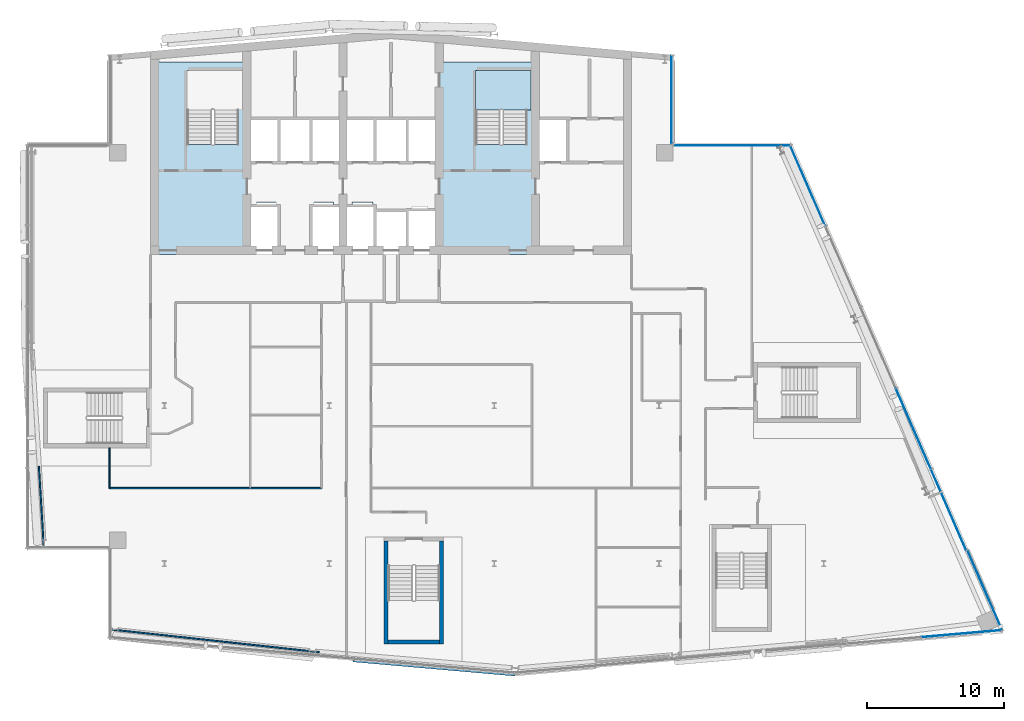
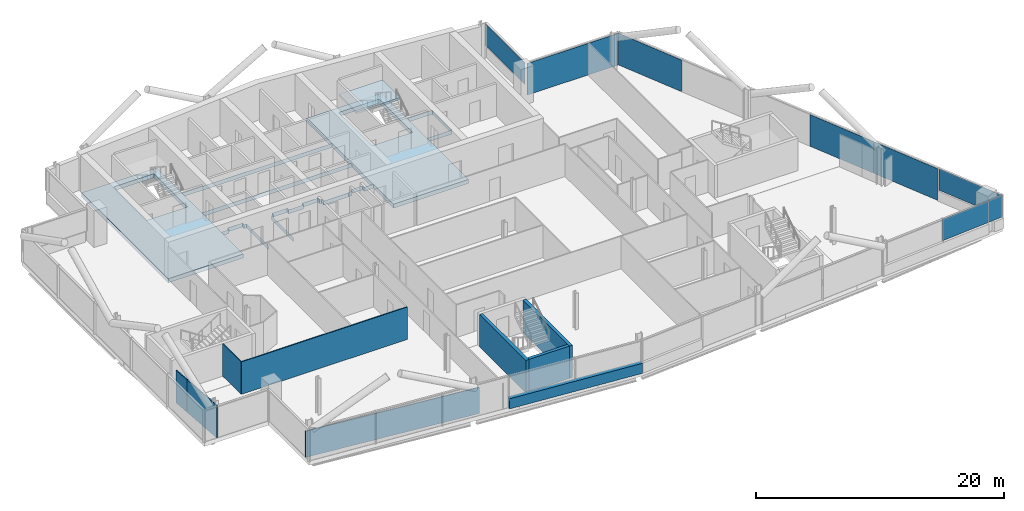
# One storey, part 14 of 25: 9 walls, 7 plates, 2 slabs, 5 elements without a shape of their own.
"""IFC4 building model written with IfcOpenShell, lengths in metres."""

from ifc_helpers import new_model, si_unit, direction, frame, frame_2d, origin, origin_2d, place, context, subcontext, project, spatial, polyline, rectangle, outline, extrude, material, layer, layer_set, type_object, element, aggregate, save


model = new_model("IFC4")

# Units and contexts
model_context = context("Model", 3, precision=1e-05, world=origin(), true_north=direction((0.0, 1.0)))
body_context = subcontext(model_context, "Body", "Model", "MODEL_VIEW")
ifc_project = project(units=[si_unit("LENGTHUNIT", "METRE"), si_unit("AREAUNIT", "SQUARE_METRE"), si_unit("VOLUMEUNIT", "CUBIC_METRE"), si_unit("PLANEANGLEUNIT", "RADIAN"), si_unit("MASSUNIT", "GRAM", prefix="KILO")], contexts=[model_context])

# Site, building, storey
site_placement = place(None, origin())
site = spatial("IfcSite", under=ifc_project, at=site_placement, CompositionType="ELEMENT")
building_placement = place(site_placement, origin())
building = spatial("IfcBuilding", under=site, at=building_placement, Name="Wharfspan Tower", CompositionType="ELEMENT")
storey_placement = place(building_placement, frame((0.0, 0.0, 225.100098)))
storey = spatial("IfcBuildingStorey", under=building, at=storey_placement, Name="L56", CompositionType="ELEMENT", Elevation=225.100098)

# Curtain wall, plate
ifc_material_1 = material(Name="Aluminium 6063-T6", Category="aluminium")
curtain_wall_type_1 = type_object("IfcCurtainWallType", Name="CURTAIN WALL FACETED FRONT", PredefinedType="NOTDEFINED", material=ifc_material_1)
curtain_wall_1_placement = place(storey_placement, origin())
curtain_wall_1 = element("IfcCurtainWall", 1, at=curtain_wall_1_placement, inside=storey, type_object=curtain_wall_type_1, Name="Curtain wall S2", PredefinedType="NOTDEFINED")
ifc_material_2 = material(Name="Glass clear low-iron double glazing", Category="glass")
ifc_layer_1 = layer(ifc_material_2, 0.040039)
ifc_layer_set_1 = layer_set([ifc_layer_1], Name="Glass clear low-iron double glazing")
plate_type_1 = type_object("IfcPlateType", Name="GLASS PANEL FACETED FRONT 40", PredefinedType="CURTAIN_PANEL", material=ifc_layer_set_1)
plate_1_placement = place(storey_placement, frame((82.021484, 6.399658, 0.999756), z_axis=(0.0, 0.0, 1.0), x_axis=(0.996197, 0.087156, 0.0)))
plate_1 = element("IfcPlate", 2, at=plate_1_placement, type_object=plate_type_1, Name="Curtain wall S2 panel 6", PredefinedType="CURTAIN_PANEL", context=body_context, shape_type="SweptSolid", body=[
    extrude(rectangle(XDim=5.849365, YDim=0.040039, at=origin_2d()), origin(), (0.0, 0.0, 1.0), 2.120117),
])
aggregate(curtain_wall_1, [plate_1])

curtain_wall_type_2 = type_object("IfcCurtainWallType", Name="CURTAIN WALL PROW AND END", PredefinedType="NOTDEFINED", material=ifc_material_1)
curtain_wall_2_placement = place(storey_placement, origin())
curtain_wall_2 = element("IfcCurtainWall", 3, at=curtain_wall_2_placement, inside=storey, type_object=curtain_wall_type_2, Name="Curtain wall E", PredefinedType="NOTDEFINED")
ifc_layer_2 = layer(ifc_material_2, 0.040039)
ifc_layer_set_2 = layer_set([ifc_layer_2], Name="Glass clear low-iron double glazing")
plate_type_2 = type_object("IfcPlateType", Name="GLASS PANEL PROW AND END 40", PredefinedType="CURTAIN_PANEL", material=ifc_layer_set_2)
plate_2_placement = place(storey_placement, frame((83.711426, 9.563721, 0.999756), z_axis=(0.0, 0.0, 1.0), x_axis=(-0.398727, 0.917072, 0.0)))
plate_2 = element("IfcPlate", 4, at=plate_2_placement, type_object=plate_type_2, Name="Curtain wall E panel 1", PredefinedType="CURTAIN_PANEL", context=body_context, shape_type="SweptSolid", body=[
    extrude(rectangle(XDim=6.343506, YDim=0.040039, at=origin_2d()), origin(), (0.0, 0.0, 1.0), 2.120117),
])

curtain_wall_3_placement = place(storey_placement, origin())
curtain_wall_3 = element("IfcCurtainWall", 5, at=curtain_wall_3_placement, inside=storey, type_object=curtain_wall_type_2, Name="Curtain wall NRE-V", PredefinedType="NOTDEFINED")
plate_3_placement = place(storey_placement, frame((60.919922, 45.262451, 0.999756), z_axis=(0.0, 0.0, 1.0), x_axis=(0.0, 1.0, 0.0)))
plate_3 = element("IfcPlate", 6, at=plate_3_placement, type_object=plate_type_2, Name="Curtain wall NRE-V panel 1", PredefinedType="CURTAIN_PANEL", context=body_context, shape_type="SweptSolid", body=[
    extrude(rectangle(XDim=6.405029, YDim=0.040039, at=origin_2d()), origin(), (0.0, 0.0, 1.0), 2.120117),
])
aggregate(curtain_wall_3, [plate_3])

# Plate
ifc_material_3 = material(Name="Aluminium composite opaque insulated panel", Category="aluminium")
ifc_layer_3 = layer(ifc_material_3, 0.040039)
ifc_layer_set_3 = layer_set([ifc_layer_3], Name="Aluminium composite opaque insulated panel")
plate_type_3 = type_object("IfcPlateType", Name="INFILL PANEL PROW AND END OPAQUE 40", PredefinedType="SHEET", material=ifc_layer_set_3)
plate_4_placement = place(storey_placement, frame((81.078857, 15.418213, -0.000244), z_axis=(0.0, 0.0, 1.0), x_axis=(-0.398727, 0.917072, 0.0)))
plate_4 = element("IfcPlate", 7, at=plate_4_placement, type_object=plate_type_3, Name="Curtain wall E panel 2", PredefinedType="SHEET", context=body_context, shape_type="SweptSolid", body=[
    extrude(rectangle(XDim=6.373535, YDim=0.040039, at=origin_2d()), origin(), (0.0, 0.0, 1.0), 3.120117),
])

plate_5_placement = place(storey_placement, frame((78.513672, 21.318115, -0.000244), z_axis=(0.0, 0.0, 1.0), x_axis=(-0.398727, 0.917072, 0.0)))
plate_5 = element("IfcPlate", 8, at=plate_5_placement, type_object=plate_type_3, Name="Curtain wall E panel 3", PredefinedType="SHEET", context=body_context, shape_type="SweptSolid", body=[
    extrude(rectangle(XDim=6.373535, YDim=0.040039, at=origin_2d()), origin(), (0.0, 0.0, 1.0), 3.120117),
])

plate_6_placement = place(storey_placement, frame((70.823975, 39.004395, -0.000244), z_axis=(0.0, 0.0, 1.0), x_axis=(-0.398727, 0.917072, 0.0)))
plate_6 = element("IfcPlate", 9, at=plate_6_placement, type_object=plate_type_3, Name="Curtain wall E panel 6", PredefinedType="SHEET", context=body_context, shape_type="SweptSolid", body=[
    extrude(rectangle(XDim=6.343506, YDim=0.040039, at=origin_2d()), origin(), (0.0, 0.0, 1.0), 3.120117),
])

aggregate(curtain_wall_2, [plate_2, plate_4, plate_5, plate_6])

# Curtain wall, plate
curtain_wall_4_placement = place(storey_placement, origin())
curtain_wall_4 = element("IfcCurtainWall", 10, at=curtain_wall_4_placement, inside=storey, type_object=curtain_wall_type_2, Name="Curtain wall NRE-H", PredefinedType="NOTDEFINED")
plate_7_placement = place(storey_placement, frame((65.304443, 41.919922, -0.000244), z_axis=(0.0, 0.0, 1.0), x_axis=(-1.0, 0.0, 0.0)))
plate_7 = element("IfcPlate", 11, at=plate_7_placement, type_object=plate_type_3, Name="Curtain wall NRE-H panel 1", PredefinedType="SHEET", context=body_context, shape_type="SweptSolid", body=[
    extrude(rectangle(XDim=8.48877, YDim=0.040039, at=origin_2d()), origin(), (0.0, 0.0, 1.0), 3.120117),
])
aggregate(curtain_wall_4, [plate_7])

# Slab
ifc_material_4 = material(Name="Concrete C40/50", Category="concrete")
ifc_layer_4 = layer(ifc_material_4, 0.399902)
ifc_layer_set_4 = layer_set([ifc_layer_4], Name="Concrete C40/50")
slab_type_1 = type_object("IfcSlabType", Name="Post-tensioned flat slab 400", PredefinedType="FLOOR", material=ifc_layer_set_4)
slab_1_placement = place(storey_placement, frame((0.0, 0.0, -0.400146)))
element("IfcSlab", 12, at=slab_1_placement, inside=storey, type_object=slab_type_1, Name="Core floor slab L56 part 2", PredefinedType="FLOOR", context=body_context, shape_type="SweptSolid", body=[
    extrude(outline(polyline([(23.0, 34.0), (29.998047, 34.0), (29.998047, 37.550049), (29.998047, 37.550293), (29.998047, 37.550293), (29.998047, 37.550537), (29.998291, 37.550781), (29.998291, 37.550781), (29.998291, 37.551025), (29.998535, 37.55127), (29.998535, 37.551514), (29.998779, 37.551514), (29.998779, 37.551758), (29.999023, 37.551758), (29.999268, 37.551758), (29.999512, 37.552002), (29.999512, 37.552002), (29.999756, 37.552002), (30.0, 37.552002), (30.7146, 37.552002), (30.7146, 37.800049), (30.7146, 37.800293), (30.7146, 37.800293), (30.714844, 37.800537), (30.714844, 37.800781), (30.714844, 37.800781), (30.715088, 37.801025), (30.715088, 37.80127), (30.715332, 37.801514), (30.715332, 37.801514), (30.715576, 37.801758), (30.71582, 37.801758), (30.71582, 37.801758), (30.716064, 37.802002), (30.716309, 37.802002), (30.716553, 37.802002), (30.716797, 37.802002), (32.116699, 37.802002), (32.116943, 37.802002), (32.117188, 37.802002), (32.117188, 37.802002), (32.117432, 37.801758), (32.117676, 37.801758), (32.11792, 37.801758), (32.11792, 37.801514), (32.118164, 37.801514), (32.118164, 37.80127), (32.118408, 37.801025), (32.118408, 37.800781), (32.118408, 37.800781), (32.118652, 37.800537), (32.118652, 37.800293), (32.118652, 37.800293), (32.118652, 37.800049), (32.118652, 37.552002), (32.333252, 37.552002), (32.333496, 37.552002), (32.33374, 37.552002), (32.333984, 37.552002), (32.333984, 37.551758), (32.334229, 37.551758), (32.334473, 37.551758), (32.334717, 37.551514), (32.334717, 37.551514), (32.334961, 37.55127), (32.334961, 37.551025), (32.335205, 37.550781), (32.335205, 37.550781), (32.335205, 37.550537), (32.335205, 37.550293), (32.335205, 37.550293), (32.335205, 37.550049), (32.335205, 34.0), (32.341309, 34.0), (32.341309, 37.558105), (32.126709, 37.558105), (32.126465, 37.558105), (32.126221, 37.558105), (32.126221, 37.558105), (32.125977, 37.558105), (32.125732, 37.558105), (32.125488, 37.55835), (32.125488, 37.558594), (32.125244, 37.558594), (32.125244, 37.558594), (32.125, 37.558838), (32.125, 37.559082), (32.125, 37.559082), (32.124756, 37.559326), (32.124756, 37.55957), (32.124756, 37.559814), (32.124756, 37.560059), (32.124756, 37.808105), (30.70874, 37.808105), (30.70874, 37.560059), (30.70874, 37.559814), (30.70874, 37.55957), (30.708496, 37.559326), (30.708496, 37.559082), (30.708496, 37.559082), (30.708496, 37.558838), (30.708252, 37.558594), (30.708008, 37.558594), (30.708008, 37.558594), (30.707764, 37.55835), (30.70752, 37.558105), (30.70752, 37.558105), (30.707275, 37.558105), (30.707031, 37.558105), (30.706787, 37.558105), (30.706787, 37.558105), (30.01001, 37.558105), (30.009766, 37.558105), (30.009521, 37.558105), (30.009521, 37.558105), (30.009277, 37.558105), (30.009033, 37.558105), (30.008789, 37.55835), (30.008789, 37.558594), (30.008545, 37.558594), (30.008545, 37.558594), (30.008301, 37.558838), (30.008301, 37.559082), (30.008301, 37.559082), (30.008057, 37.559326), (30.008057, 37.55957), (30.008057, 37.559814), (30.008057, 37.560059), (30.008057, 40.689941), (30.008057, 40.690186), (30.008057, 40.69043), (30.008057, 40.690674), (30.008301, 40.690918), (30.008301, 40.690918), (30.008301, 40.691162), (30.008545, 40.691406), (30.008545, 40.691406), (30.008789, 40.691406), (30.008789, 40.69165), (30.009033, 40.691895), (30.009277, 40.691895), (30.009521, 40.691895), (30.009521, 40.691895), (30.009766, 40.691895), (30.01001, 40.691895), (43.98999, 40.691895), (43.990234, 40.691895), (43.990479, 40.691895), (43.990479, 40.691895), (43.990723, 40.691895), (43.990967, 40.691895), (43.991211, 40.69165), (43.991211, 40.691406), (43.991455, 40.691406), (43.991455, 40.691406), (43.991699, 40.691162), (43.991699, 40.690918), (43.991699, 40.690918), (43.991943, 40.690674), (43.991943, 40.69043), (43.991943, 40.690186), (43.991943, 40.689941), (43.991943, 37.26001), (43.991943, 37.259766), (43.991943, 37.259521), (43.991943, 37.259521), (43.991699, 37.259277), (43.991699, 37.259033), (43.991699, 37.258789), (43.991455, 37.258789), (43.991455, 37.258545), (43.991211, 37.258545), (43.991211, 37.258301), (43.990967, 37.258301), (43.990723, 37.258301), (43.990479, 37.258057), (43.990479, 37.258057), (43.990234, 37.258057), (43.98999, 37.258057), (43.143311, 37.258057), (43.143066, 37.258057), (43.142822, 37.258057), (43.142578, 37.258057), (43.142578, 37.258301), (43.142334, 37.258301), (43.14209, 37.258301), (43.14209, 37.258545), (43.141846, 37.258545), (43.141846, 37.258789), (43.141602, 37.258789), (43.141602, 37.259033), (43.141602, 37.259277), (43.141357, 37.259521), (43.141357, 37.259521), (43.141357, 37.259766), (43.141357, 37.26001), (43.141357, 37.508057), (42.025391, 37.508057), (42.025391, 37.26001), (42.025391, 37.259766), (42.025391, 37.259521), (42.025146, 37.259521), (42.025146, 37.259277), (42.025146, 37.259033), (42.024902, 37.258789), (42.024902, 37.258789), (42.024658, 37.258545), (42.024658, 37.258545), (42.024414, 37.258301), (42.02417, 37.258301), (42.02417, 37.258301), (42.023926, 37.258057), (42.023682, 37.258057), (42.023438, 37.258057), (42.023193, 37.258057), (41.658691, 37.258057), (41.658691, 37.209961), (41.658691, 37.209717), (41.658691, 37.209717), (41.658691, 37.209473), (41.658447, 37.209229), (41.658447, 37.208984), (41.658447, 37.208984), (41.658203, 37.20874), (41.658203, 37.208496), (41.657959, 37.208496), (41.657715, 37.208252), (41.657715, 37.208252), (41.657471, 37.208252), (41.657227, 37.208008), (41.656982, 37.208008), (41.656982, 37.208008), (41.656738, 37.208008), (39.343262, 37.208008), (39.343018, 37.208008), (39.343018, 37.208008), (39.342773, 37.208008), (39.342529, 37.208252), (39.342285, 37.208252), (39.342285, 37.208252), (39.342041, 37.208496), (39.341797, 37.208496), (39.341797, 37.20874), (39.341553, 37.208984), (39.341553, 37.208984), (39.341553, 37.209229), (39.341309, 37.209473), (39.341309, 37.209717), (39.341309, 37.209717), (39.341309, 37.209961), (39.341309, 37.558105), (39.166748, 37.558105), (39.166504, 37.558105), (39.16626, 37.558105), (39.166016, 37.558105), (39.166016, 37.558105), (39.165771, 37.558105), (39.165527, 37.55835), (39.165283, 37.558594), (39.165283, 37.558594), (39.165283, 37.558594), (39.165039, 37.558838), (39.164795, 37.559082), (39.164795, 37.559082), (39.164795, 37.559326), (39.164795, 37.55957), (39.164795, 37.559814), (39.164795, 37.560059), (39.164795, 37.808105), (37.668701, 37.808105), (37.668701, 37.560059), (37.668701, 37.559814), (37.668701, 37.55957), (37.668701, 37.559326), (37.668457, 37.559082), (37.668457, 37.559082), (37.668457, 37.558838), (37.668213, 37.558594), (37.668213, 37.558594), (37.667969, 37.558594), (37.667725, 37.55835), (37.66748, 37.558105), (37.66748, 37.558105), (37.667236, 37.558105), (37.666992, 37.558105), (37.666992, 37.558105), (37.666748, 37.558105), (36.293213, 37.558105), (36.293213, 37.558105), (36.292969, 37.558105), (36.292725, 37.558105), (36.29248, 37.558105), (36.29248, 37.558105), (36.292236, 37.55835), (36.291992, 37.558594), (36.291992, 37.558594), (36.291748, 37.558594), (36.291504, 37.558838), (36.291504, 37.559082), (36.291504, 37.559082), (36.291504, 37.559326), (36.29126, 37.55957), (36.29126, 37.559814), (36.29126, 37.560059), (36.29126, 37.808105), (34.875244, 37.808105), (34.875244, 37.560059), (34.875244, 37.559814), (34.875244, 37.55957), (34.875244, 37.559326), (34.875, 37.559082), (34.875, 37.559082), (34.875, 37.558838), (34.874756, 37.558594), (34.874756, 37.558594), (34.874512, 37.558594), (34.874512, 37.55835), (34.874268, 37.558105), (34.874023, 37.558105), (34.873779, 37.558105), (34.873779, 37.558105), (34.873535, 37.558105), (34.873291, 37.558105), (34.658691, 37.558105), (34.658691, 34.0), (34.664795, 34.0), (34.664795, 37.550049), (34.664795, 37.550293), (34.664795, 37.550293), (34.664795, 37.550537), (34.664795, 37.550781), (34.664795, 37.550781), (34.665039, 37.551025), (34.665039, 37.55127), (34.665283, 37.551514), (34.665283, 37.551514), (34.665527, 37.551758), (34.665771, 37.551758), (34.666016, 37.551758), (34.666016, 37.552002), (34.66626, 37.552002), (34.666504, 37.552002), (34.666748, 37.552002), (34.881348, 37.552002), (34.881348, 37.800049), (34.881348, 37.800293), (34.881348, 37.800293), (34.881348, 37.800537), (34.881592, 37.800781), (34.881592, 37.800781), (34.881592, 37.801025), (34.881836, 37.80127), (34.881836, 37.801514), (34.88208, 37.801514), (34.88208, 37.801758), (34.882324, 37.801758), (34.882568, 37.801758), (34.882812, 37.802002), (34.882812, 37.802002), (34.883057, 37.802002), (34.883301, 37.802002), (36.283203, 37.802002), (36.283447, 37.802002), (36.283691, 37.802002), (36.283936, 37.802002), (36.28418, 37.801758), (36.28418, 37.801758), (36.284424, 37.801758), (36.284668, 37.801514), (36.284668, 37.801514), (36.284912, 37.80127), (36.284912, 37.801025), (36.285156, 37.800781), (36.285156, 37.800781), (36.285156, 37.800537), (36.2854, 37.800293), (36.2854, 37.800293), (36.2854, 37.800049), (36.2854, 37.552002), (37.674805, 37.552002), (37.674805, 37.800049), (37.674805, 37.800293), (37.674805, 37.800293), (37.674805, 37.800537), (37.674805, 37.800781), (37.674805, 37.800781), (37.675049, 37.801025), (37.675049, 37.80127), (37.675293, 37.801514), (37.675293, 37.801514), (37.675537, 37.801758), (37.675781, 37.801758), (37.675781, 37.801758), (37.676025, 37.802002), (37.67627, 37.802002), (37.676514, 37.802002), (37.676758, 37.802002), (39.156738, 37.802002), (39.156982, 37.802002), (39.156982, 37.802002), (39.157227, 37.802002), (39.157471, 37.801758), (39.157715, 37.801758), (39.157715, 37.801758), (39.157959, 37.801514), (39.158203, 37.801514), (39.158203, 37.80127), (39.158203, 37.801025), (39.158447, 37.800781), (39.158447, 37.800781), (39.158691, 37.800537), (39.158691, 37.800293), (39.158691, 37.800293), (39.158691, 37.800049), (39.158691, 37.552002), (39.333252, 37.552002), (39.333496, 37.552002), (39.33374, 37.552002), (39.333984, 37.552002), (39.333984, 37.551758), (39.334229, 37.551758), (39.334473, 37.551758), (39.334717, 37.551514), (39.334717, 37.551514), (39.334961, 37.55127), (39.334961, 37.551025), (39.335205, 37.550781), (39.335205, 37.550781), (39.335205, 37.550537), (39.335205, 37.550293), (39.335205, 37.550293), (39.335205, 37.550049), (39.335205, 37.201904), (41.664795, 37.201904), (41.664795, 37.25), (41.664795, 37.250244), (41.664795, 37.250488), (41.664795, 37.250488), (41.664795, 37.250732), (41.664795, 37.250977), (41.665039, 37.251221), (41.665039, 37.251221), (41.665283, 37.251465), (41.665283, 37.251465), (41.665527, 37.251709), (41.665771, 37.251709), (41.666016, 37.251709), (41.666016, 37.251953), (41.66626, 37.251953), (41.666504, 37.251953), (41.666748, 37.251953), (42.03125, 37.251953), (42.03125, 37.5), (42.03125, 37.500244), (42.031494, 37.500488), (42.031494, 37.500488), (42.031494, 37.500732), (42.031494, 37.500977), (42.031738, 37.501221), (42.031738, 37.501221), (42.031982, 37.501465), (42.031982, 37.501465), (42.032227, 37.501709), (42.032471, 37.501709), (42.032715, 37.501709), (42.032715, 37.501953), (42.032959, 37.501953), (42.033203, 37.501953), (42.033203, 37.501953), (43.133301, 37.501953), (43.133545, 37.501953), (43.133789, 37.501953), (43.133789, 37.501953), (43.134033, 37.501709), (43.134277, 37.501709), (43.134521, 37.501709), (43.134521, 37.501465), (43.134766, 37.501465), (43.13501, 37.501221), (43.13501, 37.501221), (43.13501, 37.500977), (43.135254, 37.500732), (43.135254, 37.500488), (43.135254, 37.500488), (43.135254, 37.500244), (43.135254, 37.5), (43.135254, 37.251953), (44.0, 37.251953), (44.000244, 37.251953), (44.000488, 37.251953), (44.000488, 37.251953), (44.000732, 37.251709), (44.000977, 37.251709), (44.001221, 37.251709), (44.001221, 37.251465), (44.001465, 37.251465), (44.001465, 37.251221), (44.001709, 37.251221), (44.001709, 37.250977), (44.001709, 37.250732), (44.001953, 37.250488), (44.001953, 37.250488), (44.001953, 37.250244), (44.001953, 37.25), (44.001953, 34.0), (51.0, 34.0), (51.008057, 34.0), (51.008057, 40.689941), (51.008057, 40.690186), (51.008057, 40.69043), (51.008057, 40.690674), (51.008301, 40.690918), (51.008301, 40.690918), (51.008301, 40.691162), (51.008545, 40.691406), (51.008545, 40.691406), (51.008789, 40.691406), (51.008789, 40.69165), (51.009033, 40.691895), (51.009277, 40.691895), (51.009521, 40.691895), (51.009521, 40.691895), (51.009766, 40.691895), (51.01001, 40.691895), (53.341309, 40.691895), (53.341309, 43.907959), (51.01001, 43.907959), (51.009766, 43.907959), (51.009521, 43.907959), (51.009521, 43.908203), (51.009277, 43.908203), (51.009033, 43.908203), (51.008789, 43.908203), (51.008789, 43.908447), (51.008545, 43.908691), (51.008545, 43.908691), (51.008301, 43.908936), (51.008301, 43.90918), (51.008301, 43.90918), (51.008057, 43.909424), (51.008057, 43.909668), (51.008057, 43.909912), (51.008057, 43.909912), (51.008057, 48.008057), (43.991943, 48.008057), (43.991943, 43.909912), (43.991943, 43.909912), (43.991943, 43.909668), (43.991943, 43.909424), (43.991699, 43.90918), (43.991699, 43.90918), (43.991699, 43.908936), (43.991455, 43.908691), (43.991455, 43.908691), (43.991211, 43.908447), (43.991211, 43.908203), (43.990967, 43.908203), (43.990723, 43.908203), (43.990479, 43.908203), (43.990479, 43.907959), (43.990234, 43.907959), (43.98999, 43.907959), (30.01001, 43.907959), (30.009766, 43.907959), (30.009521, 43.907959), (30.009521, 43.908203), (30.009277, 43.908203), (30.009033, 43.908203), (30.008789, 43.908203), (30.008789, 43.908447), (30.008545, 43.908691), (30.008545, 43.908691), (30.008301, 43.908936), (30.008301, 43.90918), (30.008301, 43.90918), (30.008057, 43.909424), (30.008057, 43.909668), (30.008057, 43.909912), (30.008057, 43.909912), (30.008057, 48.008057), (23.0, 48.008057), (23.0, 48.0), (23.0, 34.0)]), holes=[polyline([(53.333252, 43.9021), (53.333496, 43.9021), (53.33374, 43.9021), (53.333984, 43.901855), (53.333984, 43.901855), (53.334229, 43.901855), (53.334473, 43.901611), (53.334717, 43.901611), (53.334717, 43.901367), (53.334961, 43.901367), (53.334961, 43.901123), (53.335205, 43.900879), (53.335205, 43.900879), (53.335205, 43.900635), (53.335205, 43.900391), (53.335205, 43.900146), (53.335205, 43.899902), (53.335205, 40.699951), (53.335205, 40.699707), (53.335205, 40.699707), (53.335205, 40.699463), (53.335205, 40.699219), (53.335205, 40.699219), (53.334961, 40.698975), (53.334961, 40.69873), (53.334717, 40.698486), (53.334717, 40.698486), (53.334473, 40.698242), (53.334229, 40.698242), (53.333984, 40.698242), (53.333984, 40.697998), (53.33374, 40.697998), (53.333496, 40.697998), (53.333252, 40.697998), (51.0, 40.697998), (50.999756, 40.697998), (50.999512, 40.697998), (50.999512, 40.697998), (50.999268, 40.698242), (50.999023, 40.698242), (50.998779, 40.698242), (50.998779, 40.698486), (50.998535, 40.698486), (50.998535, 40.69873), (50.998291, 40.698975), (50.998291, 40.699219), (50.998291, 40.699219), (50.998047, 40.699463), (50.998047, 40.699707), (50.998047, 40.699707), (50.998047, 40.699951), (50.998047, 43.899902), (50.998047, 43.900146), (50.998047, 43.900391), (50.998047, 43.900635), (50.998291, 43.900879), (50.998291, 43.900879), (50.998291, 43.901123), (50.998535, 43.901367), (50.998535, 43.901367), (50.998779, 43.901611), (50.998779, 43.901611), (50.999023, 43.901855), (50.999268, 43.901855), (50.999512, 43.901855), (50.999512, 43.9021), (50.999756, 43.9021), (51.0, 43.9021), (53.333252, 43.9021)]), polyline([(46.649902, 41.998047), (46.649902, 41.998047), (46.649658, 41.998047), (46.649414, 41.998047), (46.64917, 41.998291), (46.64917, 41.998291), (46.648926, 41.998291), (46.648682, 41.998535), (46.648682, 41.998535), (46.648438, 41.998779), (46.648193, 41.998779), (46.648193, 41.999023), (46.648193, 41.999268), (46.648193, 41.999512), (46.647949, 41.999512), (46.647949, 41.999756), (46.647949, 42.0), (46.647949, 47.399902), (46.647949, 47.400146), (46.647949, 47.400391), (46.648193, 47.400635), (46.648193, 47.400879), (46.648193, 47.400879), (46.648193, 47.401123), (46.648438, 47.401367), (46.648682, 47.401367), (46.648682, 47.401611), (46.648926, 47.401611), (46.64917, 47.401855), (46.64917, 47.401855), (46.649414, 47.401855), (46.649658, 47.4021), (46.649902, 47.4021), (46.649902, 47.4021), (50.399902, 47.4021), (50.400146, 47.4021), (50.400391, 47.4021), (50.400635, 47.401855), (50.400879, 47.401855), (50.400879, 47.401855), (50.401123, 47.401611), (50.401367, 47.401611), (50.401367, 47.401367), (50.401611, 47.401367), (50.401611, 47.401123), (50.401855, 47.400879), (50.401855, 47.400879), (50.401855, 47.400635), (50.4021, 47.400391), (50.4021, 47.400146), (50.4021, 47.399902), (50.4021, 42.0), (50.4021, 41.999756), (50.4021, 41.999512), (50.401855, 41.999512), (50.401855, 41.999268), (50.401855, 41.999023), (50.401611, 41.998779), (50.401611, 41.998779), (50.401367, 41.998535), (50.401367, 41.998535), (50.401123, 41.998291), (50.400879, 41.998291), (50.400879, 41.998291), (50.400635, 41.998047), (50.400391, 41.998047), (50.400146, 41.998047), (50.399902, 41.998047), (46.649902, 41.998047)]), polyline([(44.0, 43.9021), (44.000244, 43.9021), (44.000488, 43.9021), (44.000488, 43.901855), (44.000732, 43.901855), (44.000977, 43.901855), (44.001221, 43.901611), (44.001221, 43.901611), (44.001465, 43.901367), (44.001465, 43.901367), (44.001709, 43.901123), (44.001709, 43.900879), (44.001709, 43.900879), (44.001953, 43.900635), (44.001953, 43.900391), (44.001953, 43.900146), (44.001953, 43.899902), (44.001953, 40.699951), (44.001953, 40.699707), (44.001953, 40.699707), (44.001953, 40.699463), (44.001709, 40.699219), (44.001709, 40.699219), (44.001709, 40.698975), (44.001465, 40.69873), (44.001465, 40.698486), (44.001221, 40.698486), (44.001221, 40.698242), (44.000977, 40.698242), (44.000732, 40.698242), (44.000488, 40.697998), (44.000488, 40.697998), (44.000244, 40.697998), (44.0, 40.697998), (30.0, 40.697998), (29.999756, 40.697998), (29.999512, 40.697998), (29.999512, 40.697998), (29.999268, 40.698242), (29.999023, 40.698242), (29.998779, 40.698242), (29.998779, 40.698486), (29.998535, 40.698486), (29.998535, 40.69873), (29.998291, 40.698975), (29.998291, 40.699219), (29.998291, 40.699219), (29.998047, 40.699463), (29.998047, 40.699707), (29.998047, 40.699707), (29.998047, 40.699951), (29.998047, 43.899902), (29.998047, 43.900146), (29.998047, 43.900391), (29.998047, 43.900635), (29.998291, 43.900879), (29.998291, 43.900879), (29.998291, 43.901123), (29.998535, 43.901367), (29.998535, 43.901367), (29.998779, 43.901611), (29.998779, 43.901611), (29.999023, 43.901855), (29.999268, 43.901855), (29.999512, 43.901855), (29.999512, 43.9021), (29.999756, 43.9021), (30.0, 43.9021), (44.0, 43.9021)]), polyline([(29.4021, 42.0), (29.4021, 41.999756), (29.4021, 41.999512), (29.401855, 41.999512), (29.401855, 41.999268), (29.401855, 41.999023), (29.401611, 41.998779), (29.401611, 41.998779), (29.401367, 41.998535), (29.401367, 41.998535), (29.401123, 41.998291), (29.400879, 41.998291), (29.400879, 41.998291), (29.400635, 41.998047), (29.400391, 41.998047), (29.400146, 41.998047), (29.399902, 41.998047), (25.649902, 41.998047), (25.649902, 41.998047), (25.649658, 41.998047), (25.649414, 41.998047), (25.64917, 41.998291), (25.64917, 41.998291), (25.648926, 41.998291), (25.648682, 41.998535), (25.648682, 41.998535), (25.648438, 41.998779), (25.648193, 41.998779), (25.648193, 41.999023), (25.648193, 41.999268), (25.648193, 41.999512), (25.647949, 41.999512), (25.647949, 41.999756), (25.647949, 42.0), (25.647949, 47.399902), (25.647949, 47.400146), (25.647949, 47.400391), (25.648193, 47.400635), (25.648193, 47.400879), (25.648193, 47.400879), (25.648193, 47.401123), (25.648438, 47.401367), (25.648682, 47.401367), (25.648682, 47.401611), (25.648926, 47.401611), (25.64917, 47.401855), (25.64917, 47.401855), (25.649414, 47.401855), (25.649658, 47.4021), (25.649902, 47.4021), (25.649902, 47.4021), (29.399902, 47.4021), (29.400146, 47.4021), (29.400391, 47.4021), (29.400635, 47.401855), (29.400879, 47.401855), (29.400879, 47.401855), (29.401123, 47.401611), (29.401367, 47.401611), (29.401367, 47.401367), (29.401611, 47.401367), (29.401611, 47.401123), (29.401855, 47.400879), (29.401855, 47.400879), (29.401855, 47.400635), (29.4021, 47.400391), (29.4021, 47.400146), (29.4021, 47.399902), (29.4021, 42.0)])]), origin(), (0.0, 0.0, 1.0), 0.400146),
])

# Stair, slab
stair_type = type_object("IfcStairType", Name="Half-turn stair 20 risers 180 mm", PredefinedType="HALF_TURN_STAIR", material=ifc_material_4)
stair_placement = place(storey_placement, origin())
stair = element("IfcStair", 13, at=stair_placement, inside=storey, type_object=stair_type, Name="L56 stair ST2", PredefinedType="HALF_TURN_STAIR")
ifc_layer_5 = layer(ifc_material_4, 0.199951)
ifc_layer_set_5 = layer_set([ifc_layer_5], Name="Concrete C40/50")
slab_type_2 = type_object("IfcSlabType", Name="Stair landing 200", PredefinedType="LANDING", material=ifc_layer_set_5)
slab_2_placement = place(storey_placement, frame((0.0, 0.0, 1.599609)))
slab_2 = element("IfcSlab", 14, at=slab_2_placement, type_object=slab_type_2, Name="ST2 landing 1", PredefinedType="LANDING", context=body_context, shape_type="SweptSolid", body=[
    extrude(outline(polyline([(46.649902, 44.52002), (50.699951, 44.52002), (50.699951, 47.399902), (46.649902, 47.399902), (46.649902, 44.52002)])), origin(), (0.0, 0.0, 1.0), 0.200195),
])
aggregate(stair, [slab_2])

# Walls
ifc_material_5 = material(Name="Gypsum board on steel studs", Category="steel")
ifc_layer_6 = layer(ifc_material_5, 0.100098)
ifc_layer_set_6 = layer_set([ifc_layer_6], Name="Gypsum board on steel studs")
wall_type_1 = type_object("IfcWallType", Name="Partition 100", PredefinedType="PARTITIONING", material=ifc_layer_set_6)
wall_1_placement = place(storey_placement, frame((14.959961, 16.995117, 0.0), z_axis=(0.0, 0.0, 1.0), x_axis=(-0.062263, 0.998056, 0.0)))
element("IfcWall", 15, at=wall_1_placement, inside=storey, type_object=wall_type_1, Name="Partition L56.w003", PredefinedType="PARTITIONING", context=body_context, shape_type="SweptSolid", body=[
    extrude(rectangle(XDim=1.588135, YDim=0.100098, at=frame_2d((0.793945, 0.0))), origin(), (0.0, 0.0, 1.0), 3.199951),
])
wall_2_placement = place(storey_placement, frame((15.223877, 12.620117, 0.0), z_axis=(0.0, 0.0, 1.0), x_axis=(-0.060214, 0.998182, 0.0)))
element("IfcWall", 16, at=wall_2_placement, inside=storey, type_object=wall_type_1, Name="Partition L56.w004", PredefinedType="PARTITIONING", context=body_context, shape_type="SweptSolid", body=[
    extrude(rectangle(XDim=4.383057, YDim=0.100098, at=frame_2d((2.191406, 0.0))), origin(), (0.0, 0.0, 1.0), 3.199951),
])
wall_3_placement = place(storey_placement, frame((20.0, 16.995117, 0.0), z_axis=(0.0, 0.0, 1.0), x_axis=(1.0, 0.0, 0.0)))
element("IfcWall", 17, at=wall_3_placement, inside=storey, type_object=wall_type_1, Name="Partition L56.w005", PredefinedType="PARTITIONING", context=body_context, shape_type="SweptSolid", body=[
    extrude(rectangle(XDim=15.439941, YDim=0.100098, at=frame_2d((7.719971, 0.0))), origin(), (0.0, 0.0, 1.0), 3.199951),
])
wall_4_placement = place(storey_placement, frame((20.0, 17.0, 0.0), z_axis=(0.0, 0.0, 1.0), x_axis=(0.0, 1.0, 0.0)))
element("IfcWall", 18, at=wall_4_placement, inside=storey, type_object=wall_type_1, Name="Partition L56.w006", PredefinedType="PARTITIONING", context=body_context, shape_type="SweptSolid", body=[
    extrude(rectangle(XDim=2.925049, YDim=0.100098, at=frame_2d((1.462402, 0.0))), origin(), (0.0, 0.0, 1.0), 3.199951),
])
wall_5_placement = place(storey_placement, frame((35.274902, 5.054932, 0.0), z_axis=(0.0, 0.0, 1.0), x_axis=(-0.994128, 0.108228, 0.0)))
element("IfcWall", 19, at=wall_5_placement, inside=storey, type_object=wall_type_1, Name="Partition L56.w017", PredefinedType="PARTITIONING", context=body_context, shape_type="SweptSolid", body=[
    extrude(rectangle(XDim=15.334961, YDim=0.100098, at=frame_2d((7.66748, 0.0))), origin(), (0.0, 0.0, 1.0), 2.579834),
])
ifc_layer_7 = layer(ifc_material_4, 0.350098)
ifc_layer_set_7 = layer_set([ifc_layer_7], Name="Concrete C40/50")
wall_type_2 = type_object("IfcWallType", Name="SPANDREL EXPOSED CONCRETE 350", PredefinedType="SOLIDWALL", material=ifc_layer_set_7)
wall_6_placement = place(storey_placement, frame((37.729492, 4.519043, 0.0), z_axis=(0.0, 0.0, 1.0), x_axis=(0.99619, -0.087167, 0.0)))
element("IfcWall", 20, at=wall_6_placement, inside=storey, type_object=wall_type_2, Name="Spandrel upstand L56 S1", PredefinedType="SOLIDWALL", context=body_context, shape_type="SweptSolid", body=[
    extrude(rectangle(XDim=11.830566, YDim=0.350098, at=frame_2d((5.915283, 0.0))), origin(), (0.0, 0.0, 1.0), 1.0),
])
ifc_layer_8 = layer(ifc_material_4, 0.300049)
ifc_layer_set_8 = layer_set([ifc_layer_8], Name="Concrete C40/50")
wall_type_3 = type_object("IfcWallType", Name="Stair core wall 300", PredefinedType="SHEAR", material=ifc_layer_set_8)
for number, where, z_axis, x_axis, name in (
    (21, (40.127197, 5.643311, 0.0), (0.0, 0.0, 1.0), (0.0, 1.0, 0.0), "ST4 stair enclosure wall L56"),
    (22, (44.177002, 5.643311, 0.0), (0.0, 0.0, 1.0), (0.0, 1.0, 0.0), "ST4 stair enclosure wall L56"),
):
    element("IfcWall", number, at=place(storey_placement, frame(where, z_axis=z_axis, x_axis=x_axis)), inside=storey, type_object=wall_type_3, Name=name, PredefinedType="SHEAR", context=body_context, shape_type="SweptSolid", body=[
        extrude(rectangle(XDim=7.5, YDim=0.300049, at=frame_2d((3.75, 0.0))), origin(), (0.0, 0.0, 1.0), 3.199951),
    ])
wall_7_placement = place(storey_placement, frame((40.2771, 5.793213, 0.0), z_axis=(0.0, 0.0, 1.0), x_axis=(1.0, 0.0, 0.0)))
element("IfcWall", 23, at=wall_7_placement, inside=storey, type_object=wall_type_3, Name="ST4 stair enclosure wall L56", PredefinedType="SHEAR", context=body_context, shape_type="SweptSolid", body=[
    extrude(rectangle(XDim=3.75, YDim=0.300049, at=frame_2d((1.875, 0.0))), origin(), (0.0, 0.0, 1.0), 3.199951),
])

save(model, "model.ifc")
